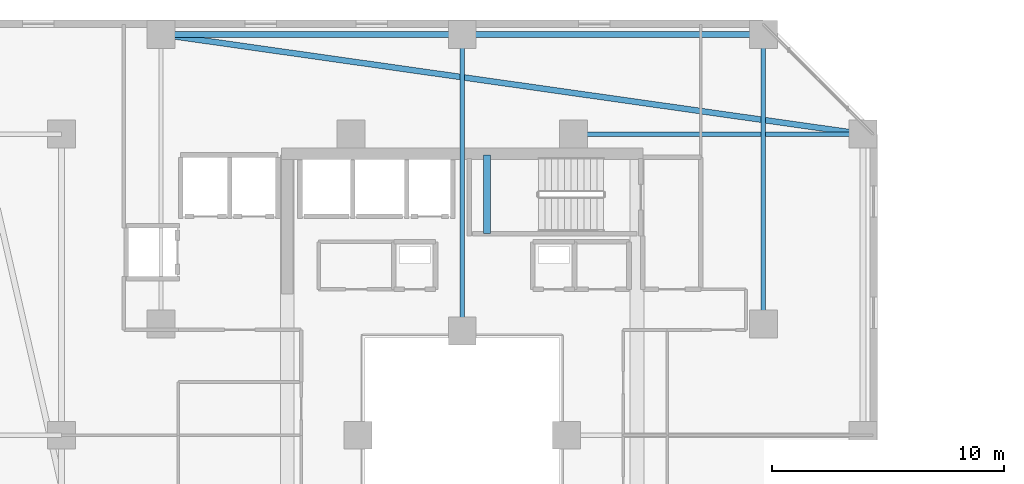
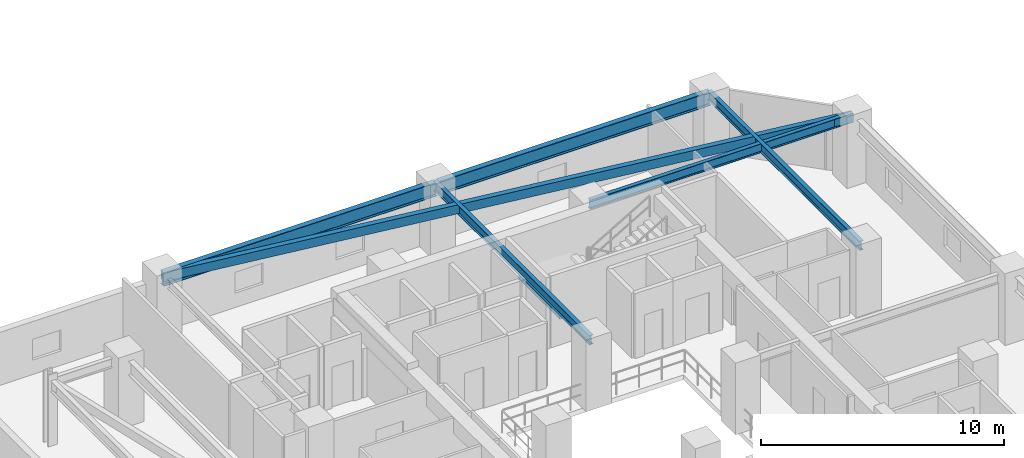
# One storey, part 8 of 34: 7 beams.
"""IFC4 building model written with IfcOpenShell, lengths in metres."""

from ifc_helpers import new_model, si_unit, direction, frame, origin, origin_2d, place, context, subcontext, project, spatial, rectangle, hollow_rectangle, i_section, extrude, material, material_profile, profile_set, type_object, element, save


model = new_model("IFC4")

# Units and contexts
model_context = context("Model", 3, precision=1e-05, world=origin(), true_north=direction((0.0, 1.0)))
body_context = subcontext(model_context, "Body", "Model", "MODEL_VIEW")
ifc_project = project(units=[si_unit("LENGTHUNIT", "METRE"), si_unit("AREAUNIT", "SQUARE_METRE"), si_unit("VOLUMEUNIT", "CUBIC_METRE"), si_unit("PLANEANGLEUNIT", "RADIAN"), si_unit("MASSUNIT", "GRAM", prefix="KILO")], contexts=[model_context])

# Site, building, storey
site_placement = place(None, origin())
site = spatial("IfcSite", under=ifc_project, at=site_placement, CompositionType="ELEMENT")
building_placement = place(site_placement, origin())
building = spatial("IfcBuilding", under=site, at=building_placement, Name="Thornwick Lancets Civic Towers", CompositionType="ELEMENT")
storey_placement = place(building_placement, frame((0.0, 0.0, 137.699951171875)))
storey = spatial("IfcBuildingStorey", under=building, at=storey_placement, Name="L36", CompositionType="ELEMENT", Elevation=137.699951171875)

# Beams
ifc_material_1 = material(Name="Steel S355JR", Category="steel")
ifc_material_profile_1 = material_profile(ifc_material_1, i_section(OverallWidth=0.255859375, OverallDepth=0.69287109375, WebThickness=0.014404296875, FlangeThickness=0.023681640625, FilletRadius=0.01513671875, at=origin_2d()), Name="UKB 686x254x170")
ifc_profile_set_1 = profile_set([ifc_material_profile_1], Name="Steel S355JR")
beam_type_1 = type_object("IfcBeamType", Name="BM_GIRD_686_170", PredefinedType="BEAM", material=ifc_profile_set_1)
beam_1_placement = place(storey_placement, frame((12.5, 44.300048828125, 2.93359375), z_axis=(1.0, 0.0, 0.0), x_axis=(0.0, 1.0, 0.0)))
element("IfcBeam", 1, at=beam_1_placement, inside=storey, type_object=beam_type_1, Name="BM-SPINE-L36-A-6-7", PredefinedType="BEAM", context=body_context, shape_type="SweptSolid", body=[
    extrude(i_section(OverallWidth=0.255859375, OverallDepth=0.69287109375, WebThickness=0.014404296875, FlangeThickness=0.023681640625, FilletRadius=0.01513671875, at=origin_2d()), origin(), (0.0, 0.0, 1.0), 13.0),
])
beam_2_placement = place(storey_placement, frame((25.580078125, 44.300048828125, 2.93359375), z_axis=(1.0, 0.0, 0.0), x_axis=(0.0, 1.0, 0.0)))
element("IfcBeam", 2, at=beam_2_placement, inside=storey, type_object=beam_type_1, Name="BM-SPINE-L36-A-7-8", PredefinedType="BEAM", context=body_context, shape_type="SweptSolid", body=[
    extrude(i_section(OverallWidth=0.255859375, OverallDepth=0.69287109375, WebThickness=0.014404296875, FlangeThickness=0.023681640625, FilletRadius=0.01513671875, at=origin_2d()), origin(), (0.0, 0.0, 1.0), 12.919921875),
])
ifc_material_profile_2 = material_profile(ifc_material_1, i_section(OverallWidth=0.19189453125, OverallDepth=0.46337890625, WebThickness=0.010498046875, FlangeThickness=0.017578125, FilletRadius=0.01025390625, at=origin_2d()), Name="UKB 457x191x89")
ifc_profile_set_2 = profile_set([ifc_material_profile_2], Name="Steel S355JR")
beam_type_2 = type_object("IfcBeamType", Name="BM_JOIST_457_89", PredefinedType="JOIST", material=ifc_profile_set_2)
beam_3_placement = place(storey_placement, frame((30.300048828125, 40.0, 3.04833984375), z_axis=(1.0, 0.0, 0.0), x_axis=(0.0, 1.0, 0.0)))
element("IfcBeam", 3, at=beam_3_placement, inside=storey, type_object=beam_type_2, Name="BM-RADIN-L36-A06", PredefinedType="JOIST", context=body_context, shape_type="SweptSolid", body=[
    extrude(i_section(OverallWidth=0.19189453125, OverallDepth=0.46337890625, WebThickness=0.010498046875, FlangeThickness=0.017578125, FilletRadius=0.01025390625, at=origin_2d()), origin(), (0.0, 0.0, 1.0), 12.5),
])
beam_4_placement = place(storey_placement, frame((25.5, 31.5, 3.04833984375), z_axis=(0.0, 1.0, 0.0), x_axis=(-1.0, 0.0, 0.0)))
element("IfcBeam", 4, at=beam_4_placement, inside=storey, type_object=beam_type_2, Name="BM-RADIN-L36-A08", PredefinedType="JOIST", context=body_context, shape_type="SweptSolid", body=[
    extrude(i_section(OverallWidth=0.19189453125, OverallDepth=0.46337890625, WebThickness=0.010498046875, FlangeThickness=0.017578125, FilletRadius=0.01025390625, at=origin_2d()), origin(), (0.0, 0.0, 1.0), 12.800048828125),
])
beam_5_placement = place(storey_placement, frame((38.5, 31.800048828125, 3.04833984375), z_axis=(0.0, 1.0, 0.0), x_axis=(-1.0, 0.0, 0.0)))
element("IfcBeam", 5, at=beam_5_placement, inside=storey, type_object=beam_type_2, Name="BM-RADIN-L36-A09", PredefinedType="JOIST", context=body_context, shape_type="SweptSolid", body=[
    extrude(i_section(OverallWidth=0.19189453125, OverallDepth=0.46337890625, WebThickness=0.010498046875, FlangeThickness=0.017578125, FilletRadius=0.01025390625, at=origin_2d()), origin(), (0.0, 0.0, 1.0), 12.5),
])
ifc_material_profile_3 = material_profile(ifc_material_1, hollow_rectangle(XDim=0.25, YDim=0.449951171875, WallThickness=0.01611328125, at=origin_2d()), Name="RHS 450x250x16")
ifc_profile_set_3 = profile_set([ifc_material_profile_3], Name="Steel S355JR")
beam_type_3 = type_object("IfcBeamType", Name="BM_RING_RHS450", PredefinedType="BEAM", material=ifc_profile_set_3)
beam_6_placement = place(storey_placement, frame((42.800048828125, 40.0, 3.054931640625), z_axis=(-0.990079584012, 0.140507712682, 0.0), x_axis=(-0.140507712682, -0.990079584012, 0.0)))
element("IfcBeam", 6, at=beam_6_placement, inside=storey, type_object=beam_type_3, Name="BM-CHAMF-L36-A-C1", PredefinedType="BEAM", context=body_context, shape_type="SweptSolid", body=[
    extrude(hollow_rectangle(XDim=0.25, YDim=0.449951171875, WallThickness=0.01611328125, at=origin_2d()), origin(), (0.0, 0.0, 1.0), 30.603759765625),
])
ifc_material_2 = material(Name="Concrete C40/50", Category="concrete")
ifc_material_profile_4 = material_profile(ifc_material_2, rectangle(XDim=0.300048828125, YDim=0.35009765625, at=origin_2d()), Name="RC 300x350")
ifc_profile_set_4 = profile_set([ifc_material_profile_4], Name="Concrete C40/50")
beam_type_4 = type_object("IfcBeamType", Name="BM_STAIR_LDG", PredefinedType="BEAM", material=ifc_profile_set_4)
beam_7_placement = place(storey_placement, frame((26.56494140625, 39.10009765625, 1.3779296875), z_axis=(0.0, -1.0, 0.0), x_axis=(1.0, 0.0, 0.0)))
element("IfcBeam", 7, at=beam_7_placement, inside=storey, type_object=beam_type_4, Name="L36 ST-A2 Landing Support Beam 1", PredefinedType="BEAM", context=body_context, shape_type="SweptSolid", body=[
    extrude(rectangle(XDim=0.300048828125, YDim=0.35009765625, at=origin_2d()), origin(), (0.0, 0.0, 1.0), 3.400146484375),
])

save(model, "model.ifc")
